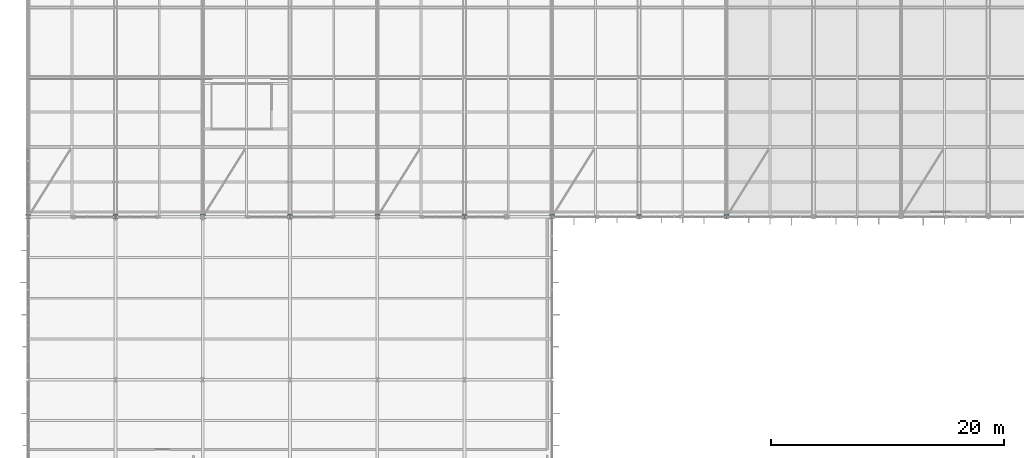
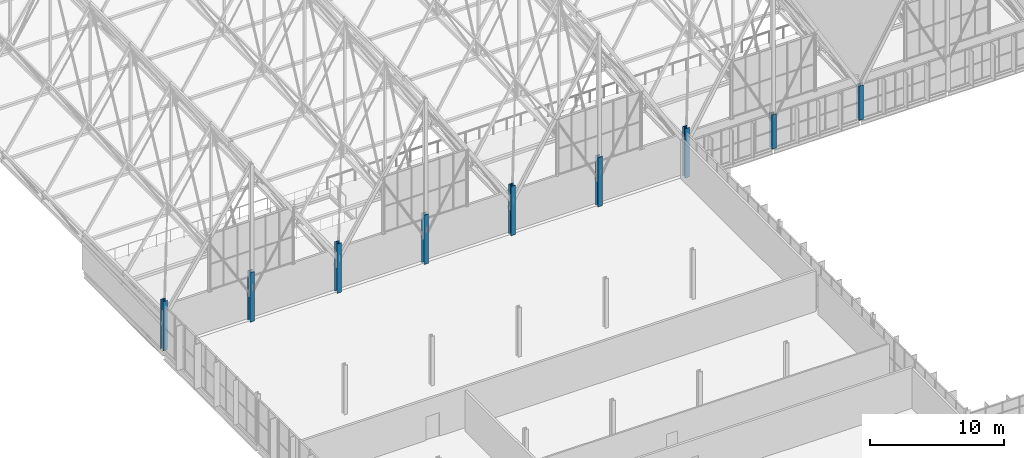
# One storey, part 7 of 324: 9 columns.
"""IFC4 building model written with IfcOpenShell, lengths in metres."""

from ifc_helpers import new_model, si_unit, direction, frame, origin, origin_2d, place, context, subcontext, project, spatial, i_section, extrude, material, material_profile, profile_set, type_object, element, save


model = new_model("IFC4")

# Units and contexts
model_context = context("Model", 3, precision=1e-05, world=origin(), true_north=direction((0.0, 1.0)))
body_context = subcontext(model_context, "Body", "Model", "MODEL_VIEW")
ifc_project = project(units=[si_unit("LENGTHUNIT", "METRE"), si_unit("AREAUNIT", "SQUARE_METRE"), si_unit("VOLUMEUNIT", "CUBIC_METRE"), si_unit("PLANEANGLEUNIT", "RADIAN"), si_unit("MASSUNIT", "GRAM", prefix="KILO")], contexts=[model_context])

# Site, building, storey
site_placement = place(None, origin())
site = spatial("IfcSite", under=ifc_project, at=site_placement, CompositionType="ELEMENT")
building_placement = place(site_placement, origin())
building = spatial("IfcBuilding", under=site, at=building_placement, Name="Solvenia Promenade Tram Depot", CompositionType="ELEMENT")
storey_placement = place(building_placement, frame((0.0, 0.0, 4.5)))
storey = spatial("IfcBuildingStorey", under=building, at=storey_placement, Name="L01", CompositionType="ELEMENT", Elevation=4.5)

# Columns
ifc_material = material(Name="Structural steel ASTM A992 Gr. 50", Category="steel")
ifc_material_profile = material_profile(ifc_material, i_section(OverallWidth=0.39404296875, OverallDepth=0.375, WebThickness=0.0205078125, FlangeThickness=0.033203125, FilletRadius=0.01806640625, at=origin_2d()), Name="W360x216", Category="steel")
ifc_profile_set = profile_set([ifc_material_profile], Name="Structural steel ASTM A992 Gr. 50")
column_type = type_object("IfcColumnType", Name="Col-W360x216", PredefinedType="COLUMN", material=ifc_profile_set)
for number, where, z_axis, x_axis, name in (
    (1, (0.0, 66.0, 0.0), (0.0, 0.0, 1.0), (1.0, 0.0, 0.0), "Steel Column COL-L01-012"),
    (2, (7.5, 66.0, 0.0), (0.0, 0.0, 1.0), (1.0, 0.0, 0.0), "Steel Column COL-L01-030"),
    (3, (15.0, 66.0, 0.0), (0.0, 0.0, 1.0), (1.0, 0.0, 0.0), "Steel Column COL-L01-048"),
    (4, (22.5, 66.0, 0.0), (0.0, 0.0, 1.0), (1.0, 0.0, 0.0), "Steel Column COL-L01-066"),
    (5, (30.0, 66.0, 0.0), (0.0, 0.0, 1.0), (1.0, 0.0, 0.0), "Steel Column COL-L01-084"),
    (6, (37.5, 66.0, 0.0), (0.0, 0.0, 1.0), (1.0, 0.0, 0.0), "Steel Column COL-L01-102"),
    (7, (45.0, 66.0, 0.0), (0.0, 0.0, 1.0), (1.0, 0.0, 0.0), "Steel Column COL-L01-120"),
):
    element("IfcColumn", number, at=place(storey_placement, frame(where, z_axis=z_axis, x_axis=x_axis)), inside=storey, type_object=column_type, Name=name, PredefinedType="COLUMN", context=body_context, shape_type="SweptSolid", body=[
        extrude(i_section(OverallWidth=0.39404296875, OverallDepth=0.375, WebThickness=0.0205078125, FlangeThickness=0.033203125, FilletRadius=0.01806640625, at=origin_2d()), origin(), (0.0, 0.0, 1.0), 4.5),
    ])
for number, where, z_axis, x_axis, name in (
    (8, (52.5, 66.0, 0.0), (0.0, 0.0, 1.0), (1.0, 0.0, 0.0), "Steel Column COL-L01-134"),
    (9, (60.0, 66.0, 0.0), (0.0, 0.0, 1.0), (1.0, 0.0, 0.0), "Steel Column COL-L01-145"),
):
    element("IfcColumn", number, at=place(storey_placement, frame(where, z_axis=z_axis, x_axis=x_axis)), inside=storey, type_object=column_type, Name=name, PredefinedType="COLUMN", context=body_context, shape_type="SweptSolid", body=[
        extrude(i_section(OverallWidth=0.39404296875, OverallDepth=0.375, WebThickness=0.0205078125, FlangeThickness=0.033203125, FilletRadius=0.01806640625, at=origin_2d()), origin(), (0.0, 0.0, 1.0), 3.1201171875),
    ])

save(model, "model.ifc")
